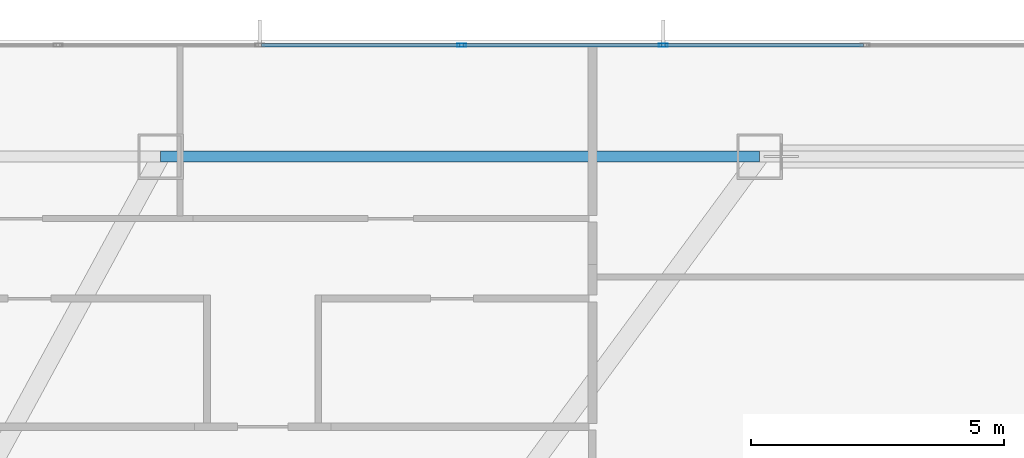
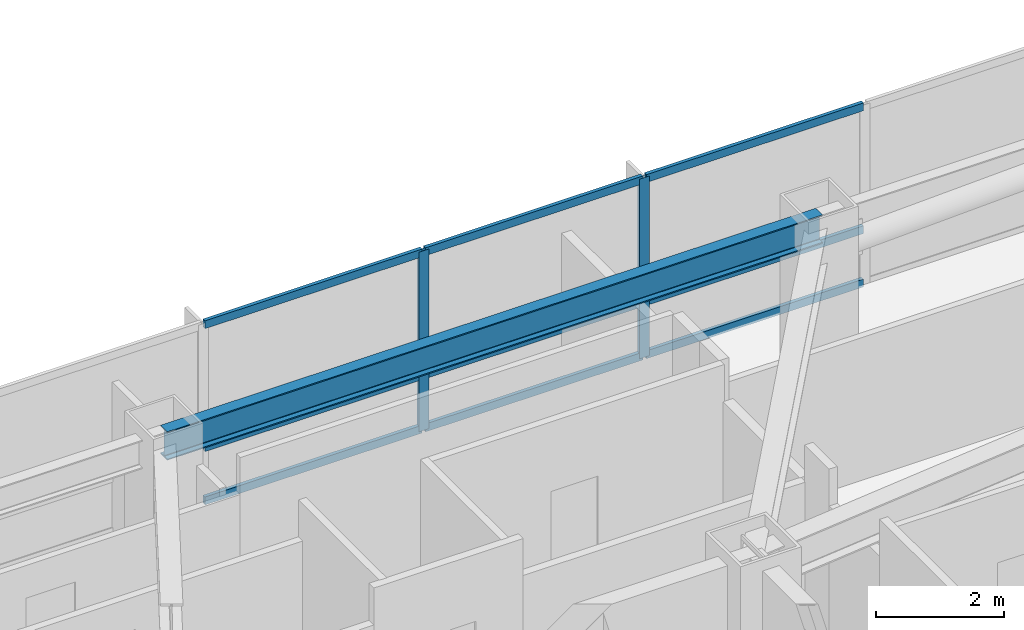
# One storey, part 7 of 21: 11 members, 1 beam, 1 element without a shape of its own.
"""IFC4 building model written with IfcOpenShell, lengths in metres."""

import ifcopenshell
import ifcopenshell.guid

model = None  # the IFC model being written
_history = None  # IfcOwnerHistory: only IFC2X3 demands one
_inside = {}  # id of a spatial element -> (the spatial element, [elements in it])
_under = {}  # id of a project, library or spatial element -> (it, [spatial elements below it])
_declared = {}  # id of a project -> (the project, [libraries it declares])
_typed = {}  # id of a type object -> (the type object, [elements of that type])
_made_of = {}  # id of a material, layer set ... -> (it, [elements and type objects made of it])


def new_model(schema):
    """Start an empty IFC model of exactly this schema.

    Asked for "IFC4X3", IfcOpenShell would pick the latest addendum, in which some entities
    have other attributes; the version numbers below select the first issue.
    IFC2X3 requires an IfcOwnerHistory on every rooted entity: one is made here for all.
    """
    global model, _history
    if schema == "IFC4X3":
        model = ifcopenshell.file(schema_version=(4, 3, 0, 0))
    else:
        model = ifcopenshell.file(schema=schema)
    _inside.clear()
    _under.clear()
    _declared.clear()
    _typed.clear()
    _made_of.clear()
    _history = None
    if model.schema == "IFC2X3":
        org = make("IfcOrganization", Name="unknown")
        user = make(
            "IfcPersonAndOrganization",
            ThePerson=make("IfcPerson", FamilyName="unknown"),
            TheOrganization=org,
        )
        app = make(
            "IfcApplication",
            ApplicationDeveloper=org,
            Version="unknown",
            ApplicationFullName="unknown",
            ApplicationIdentifier="unknown",
        )
        _history = make(
            "IfcOwnerHistory",
            OwningUser=user,
            OwningApplication=app,
            ChangeAction="ADDED",
            CreationDate=0,
        )
    return model


def make(cls, **values):
    """One entity of the class cls with the attributes given. An attribute that is None is left unset."""
    return model.create_entity(
        cls, **{name: value for name, value in values.items() if value is not None}
    )


def rooted(cls, **values):
    """An entity with a GlobalId (a new one), such as an element, a storey or a relation."""
    return make(cls, GlobalId=ifcopenshell.guid.new(), OwnerHistory=_history, **values)


def si_unit(unit_type, name, prefix=None):
    """IfcSIUnit, for example si_unit("LENGTHUNIT", "METRE", prefix="MILLI")."""
    return make("IfcSIUnit", UnitType=unit_type, Prefix=prefix, Name=name)


def assignment(units):
    """IfcUnitAssignment: the units of a project."""
    return None if units is None else make("IfcUnitAssignment", Units=units)


def point(xyz):
    """IfcCartesianPoint."""
    return None if xyz is None else make("IfcCartesianPoint", Coordinates=xyz)


def direction(xyz):
    """IfcDirection."""
    return None if xyz is None else make("IfcDirection", DirectionRatios=xyz)


def frame(location, z_axis=None, x_axis=None):
    """IfcAxis2Placement3D, a coordinate frame: its origin and axes. An axis left out is left unset."""
    return make(
        "IfcAxis2Placement3D",
        Location=point(location),
        Axis=direction(z_axis),
        RefDirection=direction(x_axis),
    )


def frame_2d(location, x_axis=None):
    """IfcAxis2Placement2D, a coordinate frame in the plane: its origin and x axis."""
    return make(
        "IfcAxis2Placement2D", Location=point(location), RefDirection=direction(x_axis)
    )


def origin():
    """The frame at (0, 0, 0) with its axes left unset."""
    return frame((0.0, 0.0, 0.0))


def origin_2d():
    """The frame at (0, 0) in the plane with its x axis left unset."""
    return frame_2d((0.0, 0.0))


def place(relative_to, where):
    """IfcLocalPlacement: puts the frame where relative to a parent placement (None: the world)."""
    return make(
        "IfcLocalPlacement", PlacementRelTo=relative_to, RelativePlacement=where
    )


def context(
    kind, dimensions, precision=None, world=None, true_north=None, identifier=None
):
    """IfcGeometricRepresentationContext, for example the 3D "Model" context."""
    return make(
        "IfcGeometricRepresentationContext",
        ContextIdentifier=identifier,
        ContextType=kind,
        CoordinateSpaceDimension=dimensions,
        Precision=precision,
        WorldCoordinateSystem=world,
        TrueNorth=true_north,
    )


def subcontext(parent, identifier, kind, view, scale=None):
    """IfcGeometricRepresentationSubContext, for example "Body" below "Model"."""
    return make(
        "IfcGeometricRepresentationSubContext",
        ContextIdentifier=identifier,
        ContextType=kind,
        ParentContext=parent,
        TargetScale=scale,
        TargetView=view,
    )


def project(units=None, contexts=None):
    """IfcProject with its units and contexts."""
    return rooted(
        "IfcProject",
        Name="project",
        RepresentationContexts=contexts,
        UnitsInContext=assignment(units),
    )


def spatial(cls, under=None, at=None, **own):
    """A site, building, storey or space (cls), placed at a placement, below another one or the project."""
    s = rooted(cls, ObjectPlacement=at, **own)
    if under is not None:
        _under.setdefault(under.id(), (under, []))[1].append(s)
    return s


def profile(cls, at=None, kind="AREA", **sizes):
    """A parametric profile (cls). Its sizes go by their IFC names, for example OverallWidth=200.0."""
    return make(cls, ProfileType=kind, Position=at, **sizes)


def hollow_rectangle(**sizes):
    """IfcRectangleHollowProfileDef."""
    return profile("IfcRectangleHollowProfileDef", **sizes)


def i_section(**sizes):
    """IfcIShapeProfileDef."""
    return profile("IfcIShapeProfileDef", **sizes)


def extrude(swept, where, along, depth):
    """IfcExtrudedAreaSolid: the profile swept, set in the frame where, extruded along a direction by depth."""
    return make(
        "IfcExtrudedAreaSolid",
        SweptArea=swept,
        Position=where,
        ExtrudedDirection=direction(along),
        Depth=depth,
    )


def shape(context_of_items, identifier, shape_type, items):
    """IfcShapeRepresentation: the items that make up one representation, for example the "Body"."""
    return make(
        "IfcShapeRepresentation",
        ContextOfItems=context_of_items,
        RepresentationIdentifier=identifier,
        RepresentationType=shape_type,
        Items=items,
    )


def material(Name=None, Category=None):
    """IfcMaterial."""
    return make("IfcMaterial", Name=Name, Category=Category)


def material_profile(
    of_material, cross_section, Name=None, Category=None, Priority=None
):
    """IfcMaterialProfile: a cross section and its material."""
    return make(
        "IfcMaterialProfile",
        Name=Name,
        Material=of_material,
        Profile=cross_section,
        Priority=Priority,
        Category=Category,
    )


def profile_set(profiles, Name=None, composite=None):
    """IfcMaterialProfileSet."""
    return make(
        "IfcMaterialProfileSet",
        Name=Name,
        MaterialProfiles=profiles,
        CompositeProfile=composite,
    )


def made_of(thing, what):
    """Note that an element or type object is made of a material, layer set ...; save() writes the relation."""
    if what is not None:
        _made_of.setdefault(what.id(), (what, []))[1].append(thing)
    return thing


def type_object(cls, material=None, **own):
    """A type object (cls), such as IfcWallType, which elements share."""
    return made_of(rooted(cls, **own), material)


def element(
    cls,
    number,
    at=None,
    inside=None,
    cuts=None,
    type_object=None,
    material=None,
    context=None,
    identifier="Body",
    shape_type=None,
    held_by="IfcProductDefinitionShape",
    body=None,
    shapes=None,
    **own,
):
    """One element of the class cls, such as IfcWall. Its Tag is "e" and its number.

    at: its placement. inside: the storey or other place that contains it. cuts: it is an
    opening in that element (IfcRelVoidsElement). A single representation is given by context,
    identifier, shape_type and body (its items); several are given by shapes. held_by: the class
    of the entity that holds the representations. save() writes the other relations.
    """
    e = rooted(cls, Tag="e%d" % number, ObjectPlacement=at, **own)
    if body is not None:
        shapes = [shape(context, identifier, shape_type, body)]
    if shapes is not None:
        e.Representation = make(held_by, Representations=shapes)
    if inside is not None:
        _inside.setdefault(inside.id(), (inside, []))[1].append(e)
    if cuts is not None:
        rooted(
            "IfcRelVoidsElement", RelatingBuildingElement=cuts, RelatedOpeningElement=e
        )
    if type_object is not None:
        _typed.setdefault(type_object.id(), (type_object, []))[1].append(e)
    return made_of(e, material)


def aggregate(whole, parts):
    """IfcRelAggregates: a whole, such as a stair, and the parts it consists of."""
    return rooted("IfcRelAggregates", RelatingObject=whole, RelatedObjects=parts)


def save(model, path):
    """Write the relations noted so far, then the file.

    IfcRelAggregates (storeys below a building ...), IfcRelContainedInSpatialStructure (elements
    in a storey), IfcRelDefinesByType, IfcRelAssociatesMaterial and IfcRelDeclares: one each for
    every whole, place, type object, material and project.
    """
    for whole, parts in _under.values():
        aggregate(whole, parts)
    for where, things in _inside.values():
        rooted(
            "IfcRelContainedInSpatialStructure",
            RelatedElements=things,
            RelatingStructure=where,
        )
    for kind, things in _typed.values():
        rooted("IfcRelDefinesByType", RelatedObjects=things, RelatingType=kind)
    for what, things in _made_of.values():
        rooted("IfcRelAssociatesMaterial", RelatedObjects=things, RelatingMaterial=what)
    for by, libraries in _declared.values():
        rooted("IfcRelDeclares", RelatingContext=by, RelatedDefinitions=libraries)
    model.write(path)


model = new_model("IFC4")

# Units and contexts
model_context = context("Model", 3, precision=1e-05, world=origin(), true_north=direction((0.0, 1.0)))
body_context = subcontext(model_context, "Body", "Model", "MODEL_VIEW")
ifc_project = project(units=[si_unit("LENGTHUNIT", "METRE"), si_unit("AREAUNIT", "SQUARE_METRE"), si_unit("VOLUMEUNIT", "CUBIC_METRE"), si_unit("PLANEANGLEUNIT", "RADIAN"), si_unit("MASSUNIT", "GRAM", prefix="KILO")], contexts=[model_context])

# Site, building, storey
site_placement = place(None, origin())
site = spatial("IfcSite", under=ifc_project, at=site_placement, CompositionType="ELEMENT")
building_placement = place(site_placement, origin())
building = spatial("IfcBuilding", under=site, at=building_placement, Name="Khamvora Tower", CompositionType="ELEMENT")
storey_placement = place(building_placement, frame((0.0, 0.0, 159.550048828125)))
storey = spatial("IfcBuildingStorey", under=building, at=storey_placement, Name="L40", CompositionType="ELEMENT", Elevation=159.550048828125)

# Beam
ifc_material_1 = material(Name="Steel S355", Category="steel")
ifc_material_profile_1 = material_profile(ifc_material_1, i_section(OverallWidth=0.2119140625, OverallDepth=0.5439453125, WebThickness=0.012939453125, FlangeThickness=0.02099609375, FilletRadius=0.013916015625, at=origin_2d()), Name="W530x123")
ifc_profile_set_1 = profile_set([ifc_material_profile_1], Name="Steel S355")
beam_type = type_object("IfcBeamType", Name="BM-SP-W530x123", PredefinedType="SPANDREL", material=ifc_profile_set_1)
beam_placement = place(storey_placement, frame((44.9169921875, 44.5, 3.157958984375), z_axis=(-1.0, 0.0, 0.0), x_axis=(0.0, -1.0, 0.0)))
element("IfcBeam", 1, at=beam_placement, inside=storey, type_object=beam_type, Name="L40 perimeter spandrel beam N3-N2", PredefinedType="SPANDREL", context=body_context, shape_type="SweptSolid", body=[
    extrude(i_section(OverallWidth=0.2119140625, OverallDepth=0.5439453125, WebThickness=0.012939453125, FlangeThickness=0.02099609375, FilletRadius=0.013916015625, at=origin_2d()), origin(), (0.0, 0.0, 1.0), 11.833984375),
])

# Curtain wall, members
ifc_material_2 = material(Name="Anodised Aluminium 6063-T6", Category="aluminium")
curtain_wall_type = type_object("IfcCurtainWallType", Name="CW-SYS-04", PredefinedType="NOTDEFINED", material=ifc_material_2)
curtain_wall_placement = place(storey_placement, origin())
curtain_wall = element("IfcCurtainWall", 2, at=curtain_wall_placement, inside=storey, type_object=curtain_wall_type, Name="L40 stick curtain wall 07.1", PredefinedType="NOTDEFINED")
ifc_material_profile_2 = material_profile(ifc_material_2, hollow_rectangle(XDim=0.06494140625, YDim=0.179931640625, WallThickness=0.0048828125, at=origin_2d()), Name="MUL65x180x5")
ifc_profile_set_2 = profile_set([ifc_material_profile_2], Name="Anodised Aluminium 6063-T6")
member_type_1 = type_object("IfcMemberType", Name="CW-SYS-04-MUL", PredefinedType="MULLION", material=ifc_profile_set_2)
member_1_placement = place(storey_placement, frame((39.030517578125, 46.699951171875, 0.0), z_axis=(0.0, 0.0, 1.0), x_axis=(0.0, 1.0, 0.0)))
member_1 = element("IfcMember", 3, at=member_1_placement, type_object=member_type_1, Name="CW-04 mullion 6", PredefinedType="MULLION", context=body_context, shape_type="SweptSolid", body=[
    extrude(hollow_rectangle(XDim=0.06494140625, YDim=0.179931640625, WallThickness=0.0048828125, at=origin_2d()), origin(), (0.0, 0.0, 1.0), 3.429931640625),
])
member_2_placement = place(storey_placement, frame((43.01611328125, 46.699951171875, 0.0), z_axis=(0.0, 0.0, 1.0), x_axis=(0.0, 1.0, 0.0)))
member_2 = element("IfcMember", 4, at=member_2_placement, type_object=member_type_1, Name="CW-04 mullion 7", PredefinedType="MULLION", context=body_context, shape_type="SweptSolid", body=[
    extrude(hollow_rectangle(XDim=0.06494140625, YDim=0.179931640625, WallThickness=0.0048828125, at=origin_2d()), origin(), (0.0, 0.0, 1.0), 3.429931640625),
])
ifc_material_profile_3 = material_profile(ifc_material_2, hollow_rectangle(XDim=0.06494140625, YDim=0.14990234375, WallThickness=0.0048828125, at=origin_2d()), Name="TRN65x150x5")
ifc_profile_set_3 = profile_set([ifc_material_profile_3], Name="Anodised Aluminium 6063-T6")
member_type_2 = type_object("IfcMemberType", Name="CW-SYS-04-TRN", PredefinedType="USERDEFINED", material=ifc_profile_set_3)
member_3_placement = place(storey_placement, frame((35.077392578125, 46.699951171875, 0.032470703125), z_axis=(1.0, 0.0, 0.0), x_axis=(0.0, 1.0, 0.0)))
member_3 = element("IfcMember", 5, at=member_3_placement, type_object=member_type_2, Name="CW-04 transom 5.1", ObjectType="TRANSOM", PredefinedType="USERDEFINED", context=body_context, shape_type="SweptSolid", body=[
    extrude(hollow_rectangle(XDim=0.06494140625, YDim=0.14990234375, WallThickness=0.0048828125, at=origin_2d()), origin(), (0.0, 0.0, 1.0), 3.920654296875),
])
member_4_placement = place(storey_placement, frame((35.077392578125, 46.699951171875, 1.050048828125), z_axis=(1.0, 0.0, 0.0), x_axis=(0.0, 1.0, 0.0)))
member_4 = element("IfcMember", 6, at=member_4_placement, type_object=member_type_2, Name="CW-04 transom 5.2", ObjectType="TRANSOM", PredefinedType="USERDEFINED", context=body_context, shape_type="SweptSolid", body=[
    extrude(hollow_rectangle(XDim=0.06494140625, YDim=0.14990234375, WallThickness=0.0048828125, at=origin_2d()), origin(), (0.0, 0.0, 1.0), 3.920654296875),
])
member_5_placement = place(storey_placement, frame((35.077392578125, 46.699951171875, 3.3974609375), z_axis=(1.0, 0.0, 0.0), x_axis=(0.0, 1.0, 0.0)))
member_5 = element("IfcMember", 7, at=member_5_placement, type_object=member_type_2, Name="CW-04 transom 5.3", ObjectType="TRANSOM", PredefinedType="USERDEFINED", context=body_context, shape_type="SweptSolid", body=[
    extrude(hollow_rectangle(XDim=0.06494140625, YDim=0.14990234375, WallThickness=0.0048828125, at=origin_2d()), origin(), (0.0, 0.0, 1.0), 3.920654296875),
])
member_6_placement = place(storey_placement, frame((39.06298828125, 46.699951171875, 0.032470703125), z_axis=(1.0, 0.0, 0.0), x_axis=(0.0, 1.0, 0.0)))
member_6 = element("IfcMember", 8, at=member_6_placement, type_object=member_type_2, Name="CW-04 transom 6.1", ObjectType="TRANSOM", PredefinedType="USERDEFINED", context=body_context, shape_type="SweptSolid", body=[
    extrude(hollow_rectangle(XDim=0.06494140625, YDim=0.14990234375, WallThickness=0.0048828125, at=origin_2d()), origin(), (0.0, 0.0, 1.0), 3.920654296875),
])
member_7_placement = place(storey_placement, frame((39.06298828125, 46.699951171875, 1.050048828125), z_axis=(1.0, 0.0, 0.0), x_axis=(0.0, 1.0, 0.0)))
member_7 = element("IfcMember", 9, at=member_7_placement, type_object=member_type_2, Name="CW-04 transom 6.2", ObjectType="TRANSOM", PredefinedType="USERDEFINED", context=body_context, shape_type="SweptSolid", body=[
    extrude(hollow_rectangle(XDim=0.06494140625, YDim=0.14990234375, WallThickness=0.0048828125, at=origin_2d()), origin(), (0.0, 0.0, 1.0), 3.920654296875),
])
member_8_placement = place(storey_placement, frame((39.06298828125, 46.699951171875, 3.3974609375), z_axis=(1.0, 0.0, 0.0), x_axis=(0.0, 1.0, 0.0)))
member_8 = element("IfcMember", 10, at=member_8_placement, type_object=member_type_2, Name="CW-04 transom 6.3", ObjectType="TRANSOM", PredefinedType="USERDEFINED", context=body_context, shape_type="SweptSolid", body=[
    extrude(hollow_rectangle(XDim=0.06494140625, YDim=0.14990234375, WallThickness=0.0048828125, at=origin_2d()), origin(), (0.0, 0.0, 1.0), 3.920654296875),
])
member_9_placement = place(storey_placement, frame((43.048583984375, 46.699951171875, 0.032470703125), z_axis=(1.0, 0.0, 0.0), x_axis=(0.0, 1.0, 0.0)))
member_9 = element("IfcMember", 11, at=member_9_placement, type_object=member_type_2, Name="CW-04 transom 7.1", ObjectType="TRANSOM", PredefinedType="USERDEFINED", context=body_context, shape_type="SweptSolid", body=[
    extrude(hollow_rectangle(XDim=0.06494140625, YDim=0.14990234375, WallThickness=0.0048828125, at=origin_2d()), origin(), (0.0, 0.0, 1.0), 3.9208984375),
])
member_10_placement = place(storey_placement, frame((43.048583984375, 46.699951171875, 1.050048828125), z_axis=(1.0, 0.0, 0.0), x_axis=(0.0, 1.0, 0.0)))
member_10 = element("IfcMember", 12, at=member_10_placement, type_object=member_type_2, Name="CW-04 transom 7.2", ObjectType="TRANSOM", PredefinedType="USERDEFINED", context=body_context, shape_type="SweptSolid", body=[
    extrude(hollow_rectangle(XDim=0.06494140625, YDim=0.14990234375, WallThickness=0.0048828125, at=origin_2d()), origin(), (0.0, 0.0, 1.0), 3.9208984375),
])
member_11_placement = place(storey_placement, frame((43.048583984375, 46.699951171875, 3.3974609375), z_axis=(1.0, 0.0, 0.0), x_axis=(0.0, 1.0, 0.0)))
member_11 = element("IfcMember", 13, at=member_11_placement, type_object=member_type_2, Name="CW-04 transom 7.3", ObjectType="TRANSOM", PredefinedType="USERDEFINED", context=body_context, shape_type="SweptSolid", body=[
    extrude(hollow_rectangle(XDim=0.06494140625, YDim=0.14990234375, WallThickness=0.0048828125, at=origin_2d()), origin(), (0.0, 0.0, 1.0), 3.9208984375),
])
aggregate(curtain_wall, [member_1, member_2, member_3, member_4, member_5, member_6, member_7, member_8, member_9, member_10, member_11])

save(model, "model.ifc")
